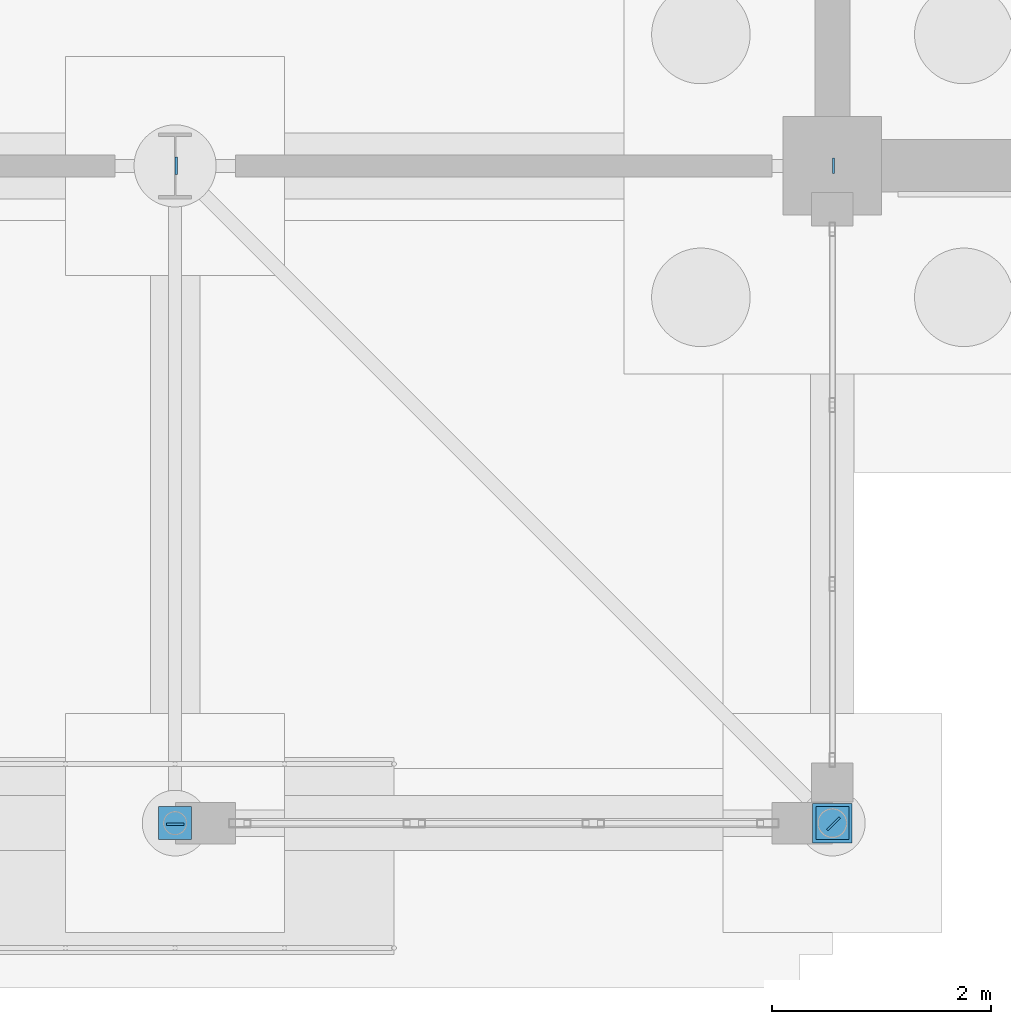
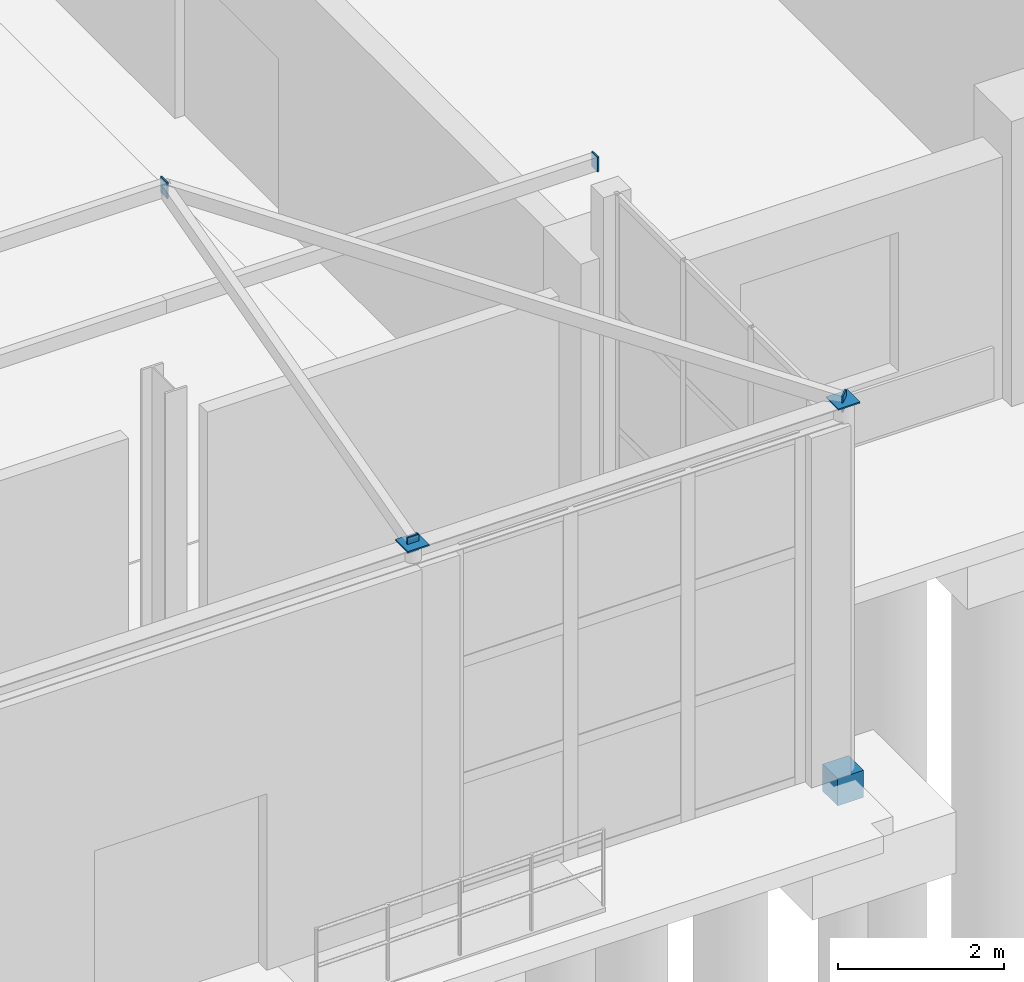
# One storey, part 71 of 77: 7 discrete accessories.
"""IFC4 building model written with IfcOpenShell, lengths in metres."""

from ifc_helpers import new_model, si_unit, direction, frame, origin, origin_2d, place, context, subcontext, project, spatial, rectangle, extrude, material, layer, layer_set, type_object, element, save


model = new_model("IFC4")

# Units and contexts
model_context = context("Model", 3, precision=1e-05, world=origin(), true_north=direction((0.0, 1.0)))
body_context = subcontext(model_context, "Body", "Model", "MODEL_VIEW")
ifc_project = project(units=[si_unit("LENGTHUNIT", "METRE"), si_unit("AREAUNIT", "SQUARE_METRE"), si_unit("VOLUMEUNIT", "CUBIC_METRE"), si_unit("PLANEANGLEUNIT", "RADIAN"), si_unit("MASSUNIT", "GRAM", prefix="KILO")], contexts=[model_context])

# Site, building, storey
site_placement = place(None, origin())
site = spatial("IfcSite", under=ifc_project, at=site_placement, CompositionType="ELEMENT")
building_placement = place(site_placement, origin())
building = spatial("IfcBuilding", under=site, at=building_placement, Name="Zilviju Railside Exhibition Hall", CompositionType="ELEMENT")
storey_placement = place(building_placement, origin())
storey = spatial("IfcBuildingStorey", under=building, at=storey_placement, Name="L01", CompositionType="ELEMENT", Elevation=0.0)

# Discrete accessories
ifc_material = material(Name="Steel S355ML", Category="steel")
ifc_layer = layer(ifc_material, 0.02001953125)
ifc_layer_set = layer_set([ifc_layer], Name="Steel S355ML")
discrete_accessory_type_1 = type_object("IfcDiscreteAccessoryType", Name="ACC-CAP-20", PredefinedType="BRACKET", material=ifc_layer_set)
for number, where, z_axis, x_axis, name in (
    (1, (72.0, -6.0, 5.39990234375), (0.0, 0.0, 1.0), (1.0, 0.0, 0.0), "Entrance Porch CHS Column Top Seal Plate 3"),
    (2, (78.0, -6.0, 5.39990234375), (0.0, 0.0, 1.0), (1.0, 0.0, 0.0), "Entrance Porch CHS Column Top Seal Plate 4"),
):
    element("IfcDiscreteAccessory", number, at=place(storey_placement, frame(where, z_axis=z_axis, x_axis=x_axis)), inside=storey, type_object=discrete_accessory_type_1, Name=name, PredefinedType="BRACKET", context=body_context, shape_type="SweptSolid", body=[
        extrude(rectangle(XDim=0.300048828125, YDim=0.300048828125, at=origin_2d()), origin(), (0.0, 0.0, 1.0), 0.02001953125),
    ])
discrete_accessory_1_placement = place(storey_placement, frame((78.010009765625, -6.0048828125, 5.27783203125), z_axis=(0.0, 0.0, 1.0), x_axis=(0.707106781187, -0.707106781187, 0.0)))
element("IfcDiscreteAccessory", 3, at=discrete_accessory_1_placement, inside=storey, type_object=discrete_accessory_type_1, Name="Hollow Section Welded End Seal Cap V7-HIP-E", PredefinedType="BRACKET", context=body_context, shape_type="SweptSolid", body=[
    extrude(rectangle(XDim=0.02001953125, YDim=0.159912109375, at=origin_2d()), origin(), (0.0, 0.0, 1.0), 0.239990234375),
])
discrete_accessory_2_placement = place(storey_placement, frame((72.0, -6.010009765625, 5.27978515625), z_axis=(0.0, 0.0, 1.0), x_axis=(1.0, 0.0, 0.0)))
element("IfcDiscreteAccessory", 4, at=discrete_accessory_2_placement, inside=storey, type_object=discrete_accessory_type_1, Name="Hollow Section Welded End Seal Cap V7-RAF-2", PredefinedType="BRACKET", context=body_context, shape_type="SweptSolid", body=[
    extrude(rectangle(XDim=0.159912109375, YDim=0.02001953125, at=origin_2d()), origin(), (0.0, 0.0, 1.0), 0.239990234375),
])
discrete_accessory_3_placement = place(storey_placement, frame((72.010009765625, 0.0, 6.8798828125), z_axis=(0.0, 0.0, 1.0), x_axis=(1.0, 0.0, 0.0)))
element("IfcDiscreteAccessory", 5, at=discrete_accessory_3_placement, inside=storey, type_object=discrete_accessory_type_1, Name="Hollow Section Welded End Seal Cap V7-RDG-E", PredefinedType="BRACKET", context=body_context, shape_type="SweptSolid", body=[
    extrude(rectangle(XDim=0.02001953125, YDim=0.159912109375, at=origin_2d()), origin(), (0.0, 0.0, 1.0), 0.239990234375),
])
discrete_accessory_4_placement = place(storey_placement, frame((78.010009765625, 0.0, 5.169921875), z_axis=(0.0, 0.0, 1.0), x_axis=(1.0, 0.0, 0.0)))
element("IfcDiscreteAccessory", 6, at=discrete_accessory_4_placement, inside=storey, type_object=discrete_accessory_type_1, Name="Hollow Section Welded End Seal Cap V7-LN3-E", PredefinedType="BRACKET", context=body_context, shape_type="SweptSolid", body=[
    extrude(rectangle(XDim=0.02001953125, YDim=0.139892578125, at=origin_2d()), origin(), (0.0, 0.0, 1.0), 0.219970703125),
])
discrete_accessory_type_2 = type_object("IfcDiscreteAccessoryType", Name="ACC-PED-400", PredefinedType="BRACKET", material=ifc_material)
discrete_accessory_5_placement = place(storey_placement, frame((78.0, -6.0, -0.39990234375), z_axis=(0.0, 0.0, 1.0), x_axis=(1.0, 0.0, 0.0)))
element("IfcDiscreteAccessory", 7, at=discrete_accessory_5_placement, inside=storey, type_object=discrete_accessory_type_2, Name="Entrance Porch CHS Column Pedestal Shoe 2", PredefinedType="BRACKET", context=body_context, shape_type="SweptSolid", body=[
    extrude(rectangle(XDim=0.360107421875, YDim=0.360107421875, at=origin_2d()), origin(), (0.0, 0.0, 1.0), 0.39990234375),
])

save(model, "model.ifc")
